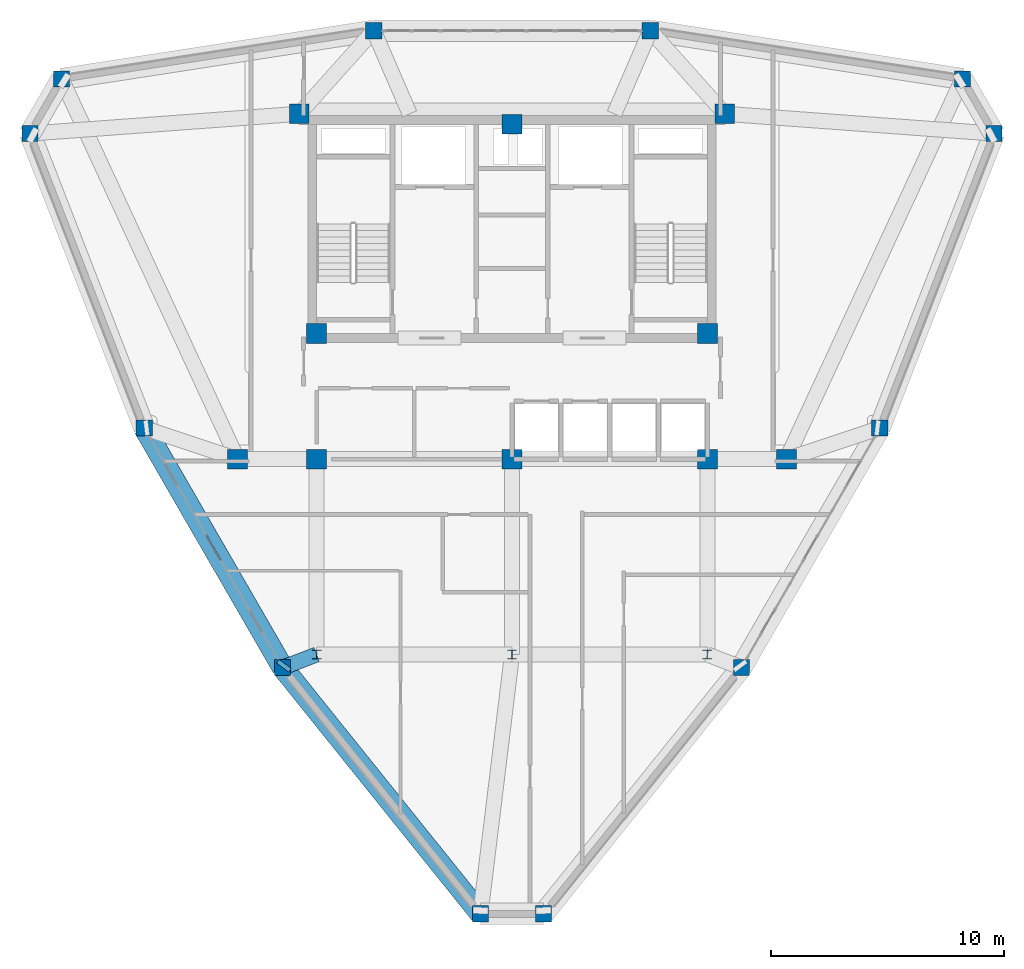
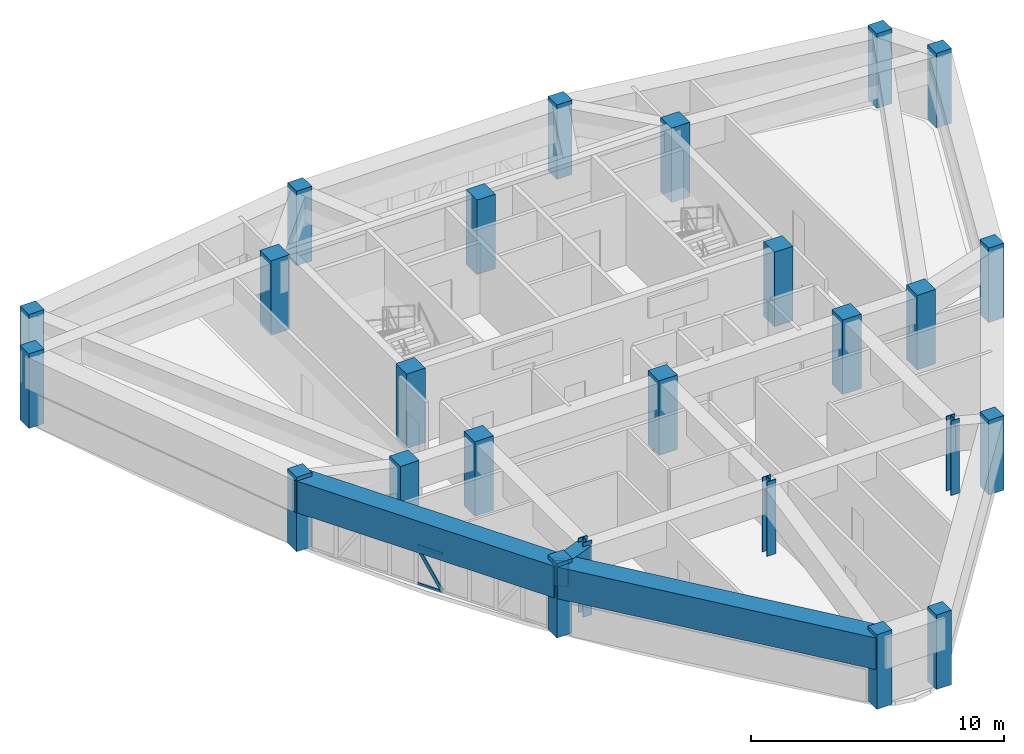
# One storey, part 1 of 16: 25 columns, 4 beams, 3 members, 1 element without a shape of its own.
"""IFC4 building model written with IfcOpenShell, lengths in metres."""

from ifc_helpers import new_model, si_unit, derived_unit, direction, frame, origin, origin_2d, place, context, subcontext, project, spatial, rectangle, hollow_rectangle, i_section, extrude, source, transform, mapped, material, layer, layer_set, material_profile, profile_set, type_object, element, aggregate, save


model = new_model("IFC4")

# Units and contexts
model_context = context("Model", 3, precision=1e-05, world=origin(), true_north=direction((0.0, 1.0)))
body_context = subcontext(model_context, "Body", "Model", "MODEL_VIEW")
ifc_project = project(units=[si_unit("LENGTHUNIT", "METRE"), si_unit("AREAUNIT", "SQUARE_METRE"), si_unit("VOLUMEUNIT", "CUBIC_METRE"), si_unit("PLANEANGLEUNIT", "RADIAN"), si_unit("MASSUNIT", "GRAM", prefix="KILO"), derived_unit("THERMALTRANSMITTANCEUNIT", [(si_unit("POWERUNIT", "WATT"), 1), (si_unit("LENGTHUNIT", "METRE"), -2), (si_unit("THERMODYNAMICTEMPERATUREUNIT", "KELVIN"), -1)])], contexts=[model_context])

# Site, building, storey
site_placement = place(None, origin())
site = spatial("IfcSite", under=ifc_project, at=site_placement, CompositionType="ELEMENT")
building_placement = place(site_placement, origin())
building = spatial("IfcBuilding", under=site, at=building_placement, Name="Korsvarv Bourse and Concert Hall", CompositionType="ELEMENT")
storey_placement = place(building_placement, frame((0.0, 0.0, 261.0)))
storey = spatial("IfcBuildingStorey", under=building, at=storey_placement, Name="L68", CompositionType="ELEMENT", Elevation=261.0)

# Columns
ifc_material_1 = material(Name="Concrete C50/60", Category="concrete")
ifc_material_profile_1 = material_profile(ifc_material_1, rectangle(XDim=0.85009765625, YDim=0.85009765625, at=origin_2d()), Name="RC 850x850")
ifc_profile_set_1 = profile_set([ifc_material_profile_1], Name="Concrete C50/60")
column_type_1 = type_object("IfcColumnType", Name="COL-RC850", PredefinedType="COLUMN", material=ifc_profile_set_1)
shared_shape_1 = source(origin(), body_context, "Body", "SweptSolid", [
    extrude(rectangle(XDim=0.85009765625, YDim=0.85009765625, at=origin_2d()), origin(), (0.0, 0.0, 1.0), 3.60009765625),
])
for number, where, z_axis, x_axis, name in (
    (1, (26.85009765625, 47.25, 0.0), (0.0, 0.0, 1.0), (1.0, 0.0, 0.0), "L68 column C-04"),
    (2, (45.14990234375, 47.25, 0.0), (0.0, 0.0, 1.0), (1.0, 0.0, 0.0), "L68 column C-04"),
    (3, (27.60009765625, 37.800048828125, 0.0), (0.0, 0.0, 1.0), (1.0, 0.0, 0.0), "L68 column C-04"),
    (4, (44.39990234375, 37.800048828125, 0.0), (0.0, 0.0, 1.0), (1.0, 0.0, 0.0), "L68 column C-04"),
    (5, (27.60009765625, 32.39990234375, 0.0), (0.0, 0.0, 1.0), (1.0, 0.0, 0.0), "L68 column C-04"),
    (6, (44.39990234375, 32.39990234375, 0.0), (0.0, 0.0, 1.0), (1.0, 0.0, 0.0), "L68 column C-04"),
    (7, (36.0, 46.800048828125, 0.0), (0.0, 0.0, 1.0), (1.0, 0.0, 0.0), "L68 column C-04"),
    (8, (36.0, 32.39990234375, 0.0), (0.0, 0.0, 1.0), (1.0, 0.0, 0.0), "L68 column C-04"),
    (9, (24.199951171875, 32.39990234375, 0.0), (0.0, 0.0, 1.0), (1.0, 0.0, 0.0), "L68 column C-04"),
    (10, (47.800048828125, 32.39990234375, 0.0), (0.0, 0.0, 1.0), (1.0, 0.0, 0.0), "L68 column C-04"),
):
    element("IfcColumn", number, at=place(storey_placement, frame(where, z_axis=z_axis, x_axis=x_axis)), inside=storey, type_object=column_type_1, Name=name, PredefinedType="COLUMN", context=body_context, shape_type="MappedRepresentation", body=[
        mapped(shared_shape_1, transform((0.0, 0.0, 0.0), scale=1.0)),
    ])
ifc_material_2 = material(Name="Steel S355", Category="steel")
ifc_material_profile_2 = material_profile(ifc_material_2, i_section(OverallWidth=0.40087890625, OverallDepth=0.39892578125, WebThickness=0.0224609375, FlangeThickness=0.035888671875, FilletRadius=0.014892578125, at=origin_2d()), Name="HD 400x314")
ifc_profile_set_2 = profile_set([ifc_material_profile_2], Name="Steel S355")
column_type_2 = type_object("IfcColumnType", Name="COL-HD314", PredefinedType="COLUMN", material=ifc_profile_set_2)
shared_shape_2 = source(origin(), body_context, "Body", "SweptSolid", [
    extrude(i_section(OverallWidth=0.40087890625, OverallDepth=0.39892578125, WebThickness=0.0224609375, FlangeThickness=0.035888671875, FilletRadius=0.014892578125, at=origin_2d()), origin(), (0.0, 0.0, 1.0), 3.60009765625),
])
for number, where, z_axis, x_axis, name in (
    (11, (27.60009765625, 24.0, 0.0), (0.0, 0.0, 1.0), (1.0, 0.0, 0.0), "L68 column C-11"),
    (12, (44.39990234375, 24.0, 0.0), (0.0, 0.0, 1.0), (1.0, 0.0, 0.0), "L68 column C-11"),
    (13, (36.0, 24.0, 0.0), (0.0, 0.0, 1.0), (1.0, 0.0, 0.0), "L68 column C-11"),
):
    element("IfcColumn", number, at=place(storey_placement, frame(where, z_axis=z_axis, x_axis=x_axis)), inside=storey, type_object=column_type_2, Name=name, PredefinedType="COLUMN", context=body_context, shape_type="MappedRepresentation", body=[
        mapped(shared_shape_2, transform((0.0, 0.0, 0.0), scale=1.0)),
    ])
ifc_material_profile_3 = material_profile(ifc_material_1, rectangle(XDim=0.699951171875, YDim=0.699951171875, at=origin_2d()), Name="RC 700x700")
ifc_profile_set_3 = profile_set([ifc_material_profile_3], Name="Concrete C50/60")
column_type_3 = type_object("IfcColumnType", Name="COL-RC700", PredefinedType="COLUMN", material=ifc_profile_set_3)
shared_shape_3 = source(origin(), body_context, "Body", "SweptSolid", [
    extrude(rectangle(XDim=0.699951171875, YDim=0.699951171875, at=origin_2d()), origin(), (0.0, 0.0, 1.0), 3.60009765625),
])
for number, where, z_axis, x_axis, name in (
    (14, (56.72509765625, 46.399169921875, 0.0), (0.0, 0.0, 1.0), (1.0, 0.0, 0.0), "L68 column C-05"),
    (15, (55.368408203125, 48.7490234375, 0.0), (0.0, 0.0, 1.0), (1.0, 0.0, 0.0), "L68 column C-05"),
    (16, (41.94580078125, 50.82275390625, 0.0), (0.0, 0.0, 1.0), (1.0, 0.0, 0.0), "L68 column C-05"),
    (17, (30.05419921875, 50.82275390625, 0.0), (0.0, 0.0, 1.0), (1.0, 0.0, 0.0), "L68 column C-05"),
    (18, (16.631591796875, 48.7490234375, 0.0), (0.0, 0.0, 1.0), (1.0, 0.0, 0.0), "L68 column C-05"),
    (19, (15.27490234375, 46.399169921875, 0.0), (0.0, 0.0, 1.0), (1.0, 0.0, 0.0), "L68 column C-05"),
    (20, (20.190185546875, 33.73779296875, 0.0), (0.0, 0.0, 1.0), (1.0, 0.0, 0.0), "L68 column C-05"),
    (21, (26.135986328125, 23.439453125, 0.0), (0.0, 0.0, 1.0), (1.0, 0.0, 0.0), "L68 column C-05"),
    (22, (34.643310546875, 12.851806640625, 0.0), (0.0, 0.0, 1.0), (1.0, 0.0, 0.0), "L68 column C-05"),
    (23, (37.356689453125, 12.851806640625, 0.0), (0.0, 0.0, 1.0), (1.0, 0.0, 0.0), "L68 column C-05"),
    (24, (45.864013671875, 23.439453125, 0.0), (0.0, 0.0, 1.0), (1.0, 0.0, 0.0), "L68 column C-05"),
    (25, (51.809814453125, 33.73779296875, 0.0), (0.0, 0.0, 1.0), (1.0, 0.0, 0.0), "L68 column C-05"),
):
    element("IfcColumn", number, at=place(storey_placement, frame(where, z_axis=z_axis, x_axis=x_axis)), inside=storey, type_object=column_type_3, Name=name, PredefinedType="COLUMN", context=body_context, shape_type="MappedRepresentation", body=[
        mapped(shared_shape_3, transform((0.0, 0.0, 0.0), scale=1.0)),
    ])

# Beams
ifc_material_profile_4 = material_profile(ifc_material_1, rectangle(XDim=0.919921875, YDim=1.530029296875, at=origin_2d()), Name="RC-BM 920x1530")
ifc_profile_set_4 = profile_set([ifc_material_profile_4], Name="Concrete C50/60")
beam_type_1 = type_object("IfcBeamType", Name="BM-TR-154", PredefinedType="BEAM", material=ifc_profile_set_4)
shared_shape_4 = source(origin(), body_context, "Body", "SweptSolid", [
    extrude(rectangle(XDim=0.919921875, YDim=1.530029296875, at=origin_2d()), origin(), (0.0, 0.0, 1.0), 11.8916015625),
])
beam_1_placement = place(storey_placement, frame((20.190185546875, 33.73779296875, 2.64501953125), z_axis=(0.500003248124, -0.866023528471, 0.0), x_axis=(0.866023528471, 0.500003248124, 0.0)))
element("IfcBeam", 26, at=beam_1_placement, inside=storey, type_object=beam_type_1, Name="L68 beam B-TR6", PredefinedType="BEAM", context=body_context, shape_type="MappedRepresentation", body=[
    mapped(shared_shape_4, transform((0.0, 0.0, 0.0), scale=1.0)),
])
shared_shape_5 = source(origin(), body_context, "Body", "SweptSolid", [
    extrude(rectangle(XDim=0.919921875, YDim=1.530029296875, at=origin_2d()), origin(), (0.0, 0.0, 1.0), 13.58203125),
])
beam_2_placement = place(storey_placement, frame((26.135986328125, 23.439453125, 2.64501953125), z_axis=(0.626363997107, -0.779530719811, 0.0), x_axis=(0.779530719811, 0.626363997107, 0.0)))
element("IfcBeam", 27, at=beam_2_placement, inside=storey, type_object=beam_type_1, Name="L68 beam B-TR6", PredefinedType="BEAM", context=body_context, shape_type="MappedRepresentation", body=[
    mapped(shared_shape_5, transform((0.0, 0.0, 0.0), scale=1.0)),
])
ifc_material_profile_5 = material_profile(ifc_material_1, rectangle(XDim=0.64990234375, YDim=1.239990234375, at=origin_2d()), Name="RC-BM 650x1240")
ifc_profile_set_5 = profile_set([ifc_material_profile_5], Name="Concrete C50/60")
beam_type_2 = type_object("IfcBeamType", Name="BM-TR-SPN", PredefinedType="BEAM", material=ifc_profile_set_5)
shared_shape_6 = source(origin(), body_context, "Body", "SweptSolid", [
    extrude(rectangle(XDim=0.64990234375, YDim=1.239990234375, at=origin_2d()), origin(), (0.0, 0.0, 1.0), 1.567626953125),
])
beam_3_placement = place(storey_placement, frame((26.135986328125, 23.439453125, 2.7900390625), z_axis=(0.933894371826, 0.357549020796, 0.0), x_axis=(-0.357549020796, 0.933894371826, 0.0)))
element("IfcBeam", 28, at=beam_3_placement, inside=storey, type_object=beam_type_2, Name="L68 beam B-TRS", PredefinedType="BEAM", context=body_context, shape_type="MappedRepresentation", body=[
    mapped(shared_shape_6, transform((0.0, 0.0, 0.0), scale=1.0)),
])
shared_shape_7 = source(origin(), body_context, "Body", "SweptSolid", [
    extrude(rectangle(XDim=0.64990234375, YDim=1.239990234375, at=origin_2d()), origin(), (0.0, 0.0, 1.0), 0.19189453125),
])
beam_4_placement = place(storey_placement, frame((26.135986328125, 23.439453125, 2.7900390625), z_axis=(0.595714500902, 0.803196260832, 0.0), x_axis=(-0.803196260832, 0.595714500902, 0.0)))
element("IfcBeam", 29, at=beam_4_placement, inside=storey, type_object=beam_type_2, Name="L68 beam B-TRS", PredefinedType="BEAM", context=body_context, shape_type="MappedRepresentation", body=[
    mapped(shared_shape_7, transform((0.0, 0.0, 0.0), scale=1.0)),
])

# Curtain wall, members
ifc_material_3 = material(Name="Anodised aluminium and triple low-E glazing", Category="glass")
ifc_layer = layer(ifc_material_3, 0.199951171875)
ifc_layer_set = layer_set([ifc_layer], Name="Anodised aluminium and triple low-E glazing")
curtain_wall_type = type_object("IfcCurtainWallType", Name="CW-SYS-3", PredefinedType="NOTDEFINED", material=ifc_layer_set)
curtain_wall_placement = place(storey_placement, origin())
curtain_wall = element("IfcCurtainWall", 30, at=curtain_wall_placement, inside=storey, type_object=curtain_wall_type, Name="L68 CW3 curtain wall CW-L68-F07", PredefinedType="NOTDEFINED")
ifc_material_4 = material(Name="Extruded aluminium EN AW-6063 T66", Category="aluminium")
ifc_material_profile_6 = material_profile(ifc_material_4, hollow_rectangle(XDim=0.06494140625, YDim=0.139892578125, WallThickness=0.00390625, at=origin_2d()), Name="ALU-T 65x140")
ifc_profile_set_6 = profile_set([ifc_material_profile_6], Name="Extruded aluminium EN AW-6063 T66")
member_type_1 = type_object("IfcMemberType", Name="CWT-140", PredefinedType="USERDEFINED", material=ifc_profile_set_6)
shared_shape_8 = source(origin(), body_context, "Body", "SweptSolid", [
    extrude(hollow_rectangle(XDim=0.06494140625, YDim=0.139892578125, WallThickness=0.00390625, at=origin_2d()), origin(), (0.0, 0.0, 1.0), 1.1484375),
])
member_1_placement = place(storey_placement, frame((22.8759765625, 29.0859375, 0.032470703125), z_axis=(0.499980071345, -0.866036909293, 0.0), x_axis=(0.866036909293, 0.499980071345, 0.0)))
member_1 = element("IfcMember", 31, at=member_1_placement, type_object=member_type_1, Name="CW3 transom 5.1", ObjectType="TRANSOM", PredefinedType="USERDEFINED", context=body_context, shape_type="MappedRepresentation", body=[
    mapped(shared_shape_8, transform((0.0, 0.0, 0.0), scale=1.0)),
])
member_2_placement = place(storey_placement, frame((22.8759765625, 29.0859375, 1.847412109375), z_axis=(0.499980071345, -0.866036909293, 0.0), x_axis=(0.866036909293, 0.499980071345, 0.0)))
member_2 = element("IfcMember", 32, at=member_2_placement, type_object=member_type_1, Name="CW3 transom 5.2", ObjectType="TRANSOM", PredefinedType="USERDEFINED", context=body_context, shape_type="MappedRepresentation", body=[
    mapped(shared_shape_8, transform((0.0, 0.0, 0.0), scale=1.0)),
])
ifc_material_profile_7 = material_profile(ifc_material_4, hollow_rectangle(XDim=0.06494140625, YDim=0.1650390625, WallThickness=0.0048828125, at=origin_2d()), Name="ALU-M 65x165")
ifc_profile_set_7 = profile_set([ifc_material_profile_7], Name="Extruded aluminium EN AW-6063 T66")
member_type_2 = type_object("IfcMemberType", Name="CWM-165", PredefinedType="MULLION", material=ifc_profile_set_7)
shared_shape_9 = source(origin(), body_context, "Body", "SweptSolid", [
    extrude(hollow_rectangle(XDim=0.06494140625, YDim=0.1650390625, WallThickness=0.0048828125, at=origin_2d()), origin(), (0.0, 0.0, 1.0), 2.09326171875),
])
member_3_placement = place(storey_placement, frame((23.4501953125, 28.09130859375, 0.06494140625), z_axis=(-0.274324929215, 0.475169966676, 0.836037879513), x_axis=(-0.866036909293, -0.499980071345, 0.0)))
member_3 = element("IfcMember", 33, at=member_3_placement, type_object=member_type_2, Name="CW3 diagonal mullion 5", PredefinedType="MULLION", context=body_context, shape_type="MappedRepresentation", body=[
    mapped(shared_shape_9, transform((0.0, 0.0, 0.0), scale=1.0)),
])
aggregate(curtain_wall, [member_1, member_2, member_3])

save(model, "model.ifc")
